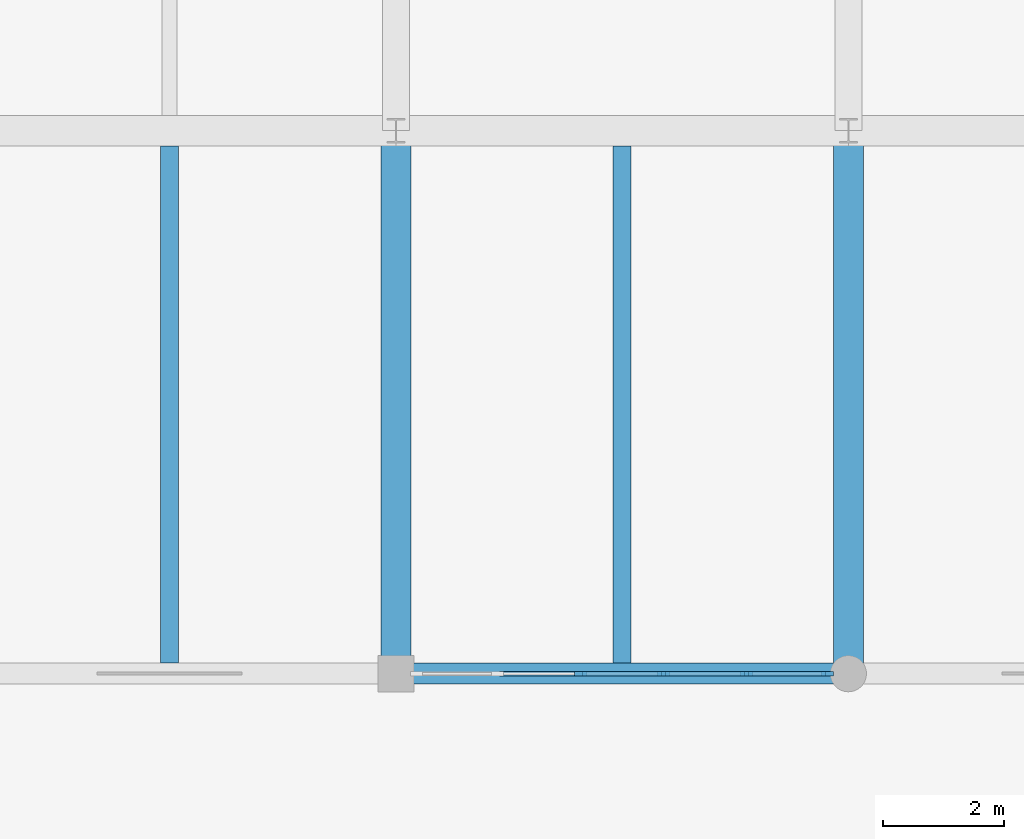
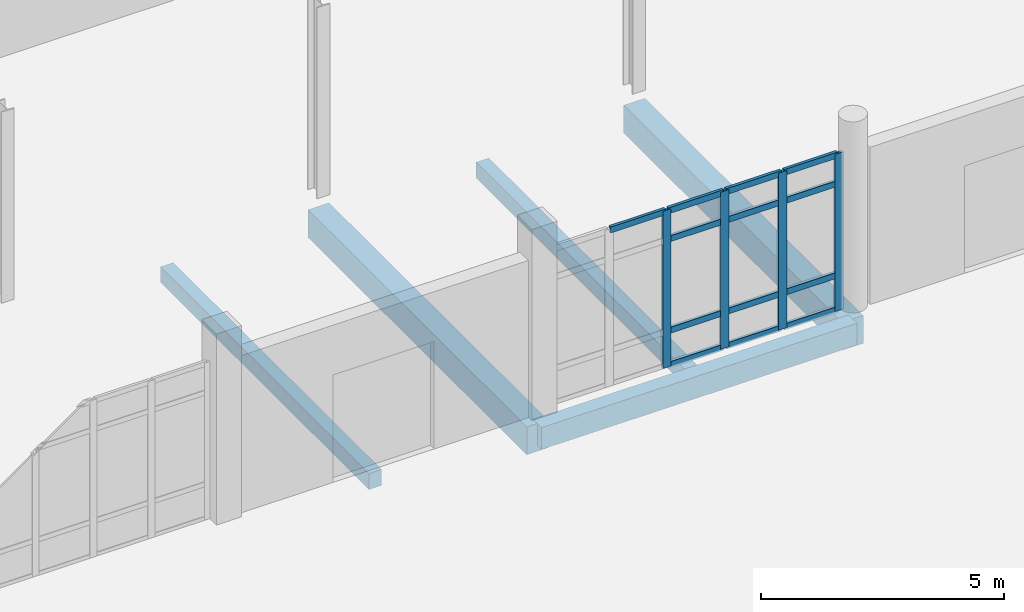
# One storey, part 30 of 125: 17 members, 5 beams, 1 element without a shape of its own.
"""IFC4 building model written with IfcOpenShell, lengths in metres."""

from ifc_helpers import new_model, si_unit, direction, frame, origin, origin_2d, place, context, subcontext, project, spatial, rectangle, extrude, material, layer, layer_set, material_profile, profile_set, type_object, element, aggregate, save


model = new_model("IFC4")

# Units and contexts
model_context = context("Model", 3, precision=1e-05, world=origin(), true_north=direction((0.0, 1.0)))
body_context = subcontext(model_context, "Body", "Model", "MODEL_VIEW")
ifc_project = project(units=[si_unit("LENGTHUNIT", "METRE"), si_unit("AREAUNIT", "SQUARE_METRE"), si_unit("VOLUMEUNIT", "CUBIC_METRE"), si_unit("PLANEANGLEUNIT", "RADIAN"), si_unit("MASSUNIT", "GRAM", prefix="KILO")], contexts=[model_context])

# Site, building, storey
site_placement = place(None, origin())
site = spatial("IfcSite", under=ifc_project, at=site_placement, CompositionType="ELEMENT")
building_placement = place(site_placement, origin())
building = spatial("IfcBuilding", under=site, at=building_placement, Name="Dalvernix Boulevard General Hospital", CompositionType="ELEMENT")
storey_placement = place(building_placement, origin())
storey = spatial("IfcBuildingStorey", under=building, at=storey_placement, Name="L00", CompositionType="ELEMENT", Elevation=0.0)

# Beams
ifc_material_1 = material(Name="Concrete C35/45", Category="concrete")
ifc_material_profile_1 = material_profile(ifc_material_1, rectangle(XDim=0.5, YDim=0.699951171875, at=origin_2d()), Name="RCB 500x700")
ifc_profile_set_1 = profile_set([ifc_material_profile_1], Name="Concrete C35/45")
beam_type_1 = type_object("IfcBeamType", Name="BM-B-01-I", PredefinedType="BEAM", material=ifc_profile_set_1)
for number, where, z_axis, x_axis, name in (
    (1, (82.5, 22.5, -0.7099609375), (0.0, 1.0, 0.0), (-1.0, 0.0, 0.0), "L00 N-S girder 12:D-E"),
    (2, (90.0, 22.5, -0.7099609375), (0.0, 1.0, 0.0), (-1.0, 0.0, 0.0), "L00 N-S girder 13:D-E"),
):
    element("IfcBeam", number, at=place(storey_placement, frame(where, z_axis=z_axis, x_axis=x_axis)), inside=storey, type_object=beam_type_1, Name=name, PredefinedType="BEAM", context=body_context, shape_type="SweptSolid", body=[
        extrude(rectangle(XDim=0.5, YDim=0.699951171875, at=origin_2d()), origin(), (0.0, 0.0, 1.0), 9.0),
    ])
ifc_material_profile_2 = material_profile(ifc_material_1, rectangle(XDim=0.300048828125, YDim=0.39990234375, at=origin_2d()), Name="RCB 300x400")
ifc_profile_set_2 = profile_set([ifc_material_profile_2], Name="Concrete C35/45")
beam_type_2 = type_object("IfcBeamType", Name="BM-JB-01", PredefinedType="JOIST", material=ifc_profile_set_2)
for number, where, z_axis, x_axis, name in (
    (3, (78.75, 22.675048828125, -0.56005859375), (0.0, 1.0, 0.0), (-1.0, 0.0, 0.0), "L00 secondary floor beam 11-D"),
    (4, (86.25, 22.675048828125, -0.56005859375), (0.0, 1.0, 0.0), (-1.0, 0.0, 0.0), "L00 secondary floor beam 12-D"),
):
    element("IfcBeam", number, at=place(storey_placement, frame(where, z_axis=z_axis, x_axis=x_axis)), inside=storey, type_object=beam_type_2, Name=name, PredefinedType="JOIST", context=body_context, shape_type="SweptSolid", body=[
        extrude(rectangle(XDim=0.300048828125, YDim=0.39990234375, at=origin_2d()), origin(), (0.0, 0.0, 1.0), 8.574951171875),
    ])
ifc_material_profile_3 = material_profile(ifc_material_1, rectangle(XDim=0.35009765625, YDim=0.550048828125, at=origin_2d()), Name="RCB 350x550")
ifc_profile_set_3 = profile_set([ifc_material_profile_3], Name="Concrete C35/45")
beam_type_3 = type_object("IfcBeamType", Name="BM-SB-01-E", PredefinedType="SPANDREL", material=ifc_profile_set_3)
beam_placement = place(storey_placement, frame((82.5, 22.5, -0.635009765625), z_axis=(1.0, 0.0, 0.0), x_axis=(0.0, 1.0, 0.0)))
element("IfcBeam", 5, at=beam_placement, inside=storey, type_object=beam_type_3, Name="L00 E-W girder D:12-13", PredefinedType="SPANDREL", context=body_context, shape_type="SweptSolid", body=[
    extrude(rectangle(XDim=0.35009765625, YDim=0.550048828125, at=origin_2d()), origin(), (0.0, 0.0, 1.0), 7.5),
])

# Curtain wall, members
ifc_material_2 = material(Name="Thermally broken aluminium and solar-control glass curtain wall", Category="aluminium")
ifc_layer = layer(ifc_material_2, 0.199951171875)
ifc_layer_set = layer_set([ifc_layer], Name="Thermally broken aluminium and solar-control glass curtain wall (CW-CW-C-69x40)")
curtain_wall_type = type_object("IfcCurtainWallType", Name="CW-CW-C-69x40", PredefinedType="USERDEFINED", material=ifc_layer_set)
curtain_wall_placement = place(storey_placement, origin())
curtain_wall = element("IfcCurtainWall", 6, at=curtain_wall_placement, inside=storey, type_object=curtain_wall_type, Name="L00 curtain wall CW-C-69x40 11-3", ObjectType="GLAZED FACADE", PredefinedType="USERDEFINED")
ifc_material_3 = material(Name="Aluminium EN AW-6060", Category="aluminium")
ifc_material_profile_4 = material_profile(ifc_material_3, rectangle(XDim=0.070068359375, YDim=0.199951171875, at=origin_2d()), Name="ALU MULL 70x200")
ifc_profile_set_4 = profile_set([ifc_material_profile_4], Name="Aluminium EN AW-6060")
member_type_1 = type_object("IfcMemberType", Name="MEM-CW-M3", PredefinedType="MULLION", material=ifc_profile_set_4)
member_1_placement = place(storey_placement, frame((89.655029296875, 22.5, 0.0), z_axis=(0.0, 0.0, 1.0), x_axis=(0.0, -1.0, 0.0)))
member_1 = element("IfcMember", 7, at=member_1_placement, type_object=member_type_1, Name="CW-C-69x40 mullion 1", PredefinedType="MULLION", context=body_context, shape_type="SweptSolid", body=[
    extrude(rectangle(XDim=0.070068359375, YDim=0.199951171875, at=origin_2d()), origin(), (0.0, 0.0, 1.0), 3.949951171875),
])
member_2_placement = place(storey_placement, frame((88.31396484375, 22.5, 0.0), z_axis=(0.0, 0.0, 1.0), x_axis=(0.0, -1.0, 0.0)))
member_2 = element("IfcMember", 8, at=member_2_placement, type_object=member_type_1, Name="CW-C-69x40 mullion 2", PredefinedType="MULLION", context=body_context, shape_type="SweptSolid", body=[
    extrude(rectangle(XDim=0.070068359375, YDim=0.199951171875, at=origin_2d()), origin(), (0.0, 0.0, 1.0), 3.949951171875),
])
member_3_placement = place(storey_placement, frame((86.93798828125, 22.5, 0.0), z_axis=(0.0, 0.0, 1.0), x_axis=(0.0, -1.0, 0.0)))
member_3 = element("IfcMember", 9, at=member_3_placement, type_object=member_type_1, Name="CW-C-69x40 mullion 3", PredefinedType="MULLION", context=body_context, shape_type="SweptSolid", body=[
    extrude(rectangle(XDim=0.070068359375, YDim=0.199951171875, at=origin_2d()), origin(), (0.0, 0.0, 1.0), 3.949951171875),
])
member_4_placement = place(storey_placement, frame((85.56201171875, 22.5, 0.0), z_axis=(0.0, 0.0, 1.0), x_axis=(0.0, -1.0, 0.0)))
member_4 = element("IfcMember", 10, at=member_4_placement, type_object=member_type_1, Name="CW-C-69x40 mullion 4", PredefinedType="MULLION", context=body_context, shape_type="SweptSolid", body=[
    extrude(rectangle(XDim=0.070068359375, YDim=0.199951171875, at=origin_2d()), origin(), (0.0, 0.0, 1.0), 3.949951171875),
])
ifc_material_profile_5 = material_profile(ifc_material_3, rectangle(XDim=0.070068359375, YDim=0.14990234375, at=origin_2d()), Name="ALU TRAN 70x150")
ifc_profile_set_5 = profile_set([ifc_material_profile_5], Name="Aluminium EN AW-6060")
member_type_2 = type_object("IfcMemberType", Name="MEM-CW-T3", PredefinedType="USERDEFINED", material=ifc_profile_set_5)
member_5_placement = place(storey_placement, frame((89.6201171875, 22.5, 0.034912109375), z_axis=(-1.0, 0.0, 0.0), x_axis=(0.0, -1.0, 0.0)))
member_5 = element("IfcMember", 11, at=member_5_placement, type_object=member_type_2, Name="CW-C-69x40 transom 1.1", ObjectType="TRANSOM", PredefinedType="USERDEFINED", context=body_context, shape_type="SweptSolid", body=[
    extrude(rectangle(XDim=0.070068359375, YDim=0.14990234375, at=origin_2d()), origin(), (0.0, 0.0, 1.0), 1.27099609375),
])
member_6_placement = place(storey_placement, frame((89.6201171875, 22.5, 0.89990234375), z_axis=(-1.0, 0.0, 0.0), x_axis=(0.0, -1.0, 0.0)))
member_6 = element("IfcMember", 12, at=member_6_placement, type_object=member_type_2, Name="CW-C-69x40 transom 1.2", ObjectType="TRANSOM", PredefinedType="USERDEFINED", context=body_context, shape_type="SweptSolid", body=[
    extrude(rectangle(XDim=0.070068359375, YDim=0.14990234375, at=origin_2d()), origin(), (0.0, 0.0, 1.0), 1.27099609375),
])
member_7_placement = place(storey_placement, frame((89.6201171875, 22.5, 3.199951171875), z_axis=(-1.0, 0.0, 0.0), x_axis=(0.0, -1.0, 0.0)))
member_7 = element("IfcMember", 13, at=member_7_placement, type_object=member_type_2, Name="CW-C-69x40 transom 1.3", ObjectType="TRANSOM", PredefinedType="USERDEFINED", context=body_context, shape_type="SweptSolid", body=[
    extrude(rectangle(XDim=0.070068359375, YDim=0.14990234375, at=origin_2d()), origin(), (0.0, 0.0, 1.0), 1.27099609375),
])
member_8_placement = place(storey_placement, frame((89.6201171875, 22.5, 3.9150390625), z_axis=(-1.0, 0.0, 0.0), x_axis=(0.0, -1.0, 0.0)))
member_8 = element("IfcMember", 14, at=member_8_placement, type_object=member_type_2, Name="CW-C-69x40 transom 1.4", ObjectType="TRANSOM", PredefinedType="USERDEFINED", context=body_context, shape_type="SweptSolid", body=[
    extrude(rectangle(XDim=0.070068359375, YDim=0.14990234375, at=origin_2d()), origin(), (0.0, 0.0, 1.0), 1.27099609375),
])
member_9_placement = place(storey_placement, frame((88.279052734375, 22.5, 0.034912109375), z_axis=(-1.0, 0.0, 0.0), x_axis=(0.0, -1.0, 0.0)))
member_9 = element("IfcMember", 15, at=member_9_placement, type_object=member_type_2, Name="CW-C-69x40 transom 2.1", ObjectType="TRANSOM", PredefinedType="USERDEFINED", context=body_context, shape_type="SweptSolid", body=[
    extrude(rectangle(XDim=0.070068359375, YDim=0.14990234375, at=origin_2d()), origin(), (0.0, 0.0, 1.0), 1.30615234375),
])
member_10_placement = place(storey_placement, frame((88.279052734375, 22.5, 0.89990234375), z_axis=(-1.0, 0.0, 0.0), x_axis=(0.0, -1.0, 0.0)))
member_10 = element("IfcMember", 16, at=member_10_placement, type_object=member_type_2, Name="CW-C-69x40 transom 2.2", ObjectType="TRANSOM", PredefinedType="USERDEFINED", context=body_context, shape_type="SweptSolid", body=[
    extrude(rectangle(XDim=0.070068359375, YDim=0.14990234375, at=origin_2d()), origin(), (0.0, 0.0, 1.0), 1.30615234375),
])
member_11_placement = place(storey_placement, frame((88.279052734375, 22.5, 3.199951171875), z_axis=(-1.0, 0.0, 0.0), x_axis=(0.0, -1.0, 0.0)))
member_11 = element("IfcMember", 17, at=member_11_placement, type_object=member_type_2, Name="CW-C-69x40 transom 2.3", ObjectType="TRANSOM", PredefinedType="USERDEFINED", context=body_context, shape_type="SweptSolid", body=[
    extrude(rectangle(XDim=0.070068359375, YDim=0.14990234375, at=origin_2d()), origin(), (0.0, 0.0, 1.0), 1.30615234375),
])
member_12_placement = place(storey_placement, frame((88.279052734375, 22.5, 3.9150390625), z_axis=(-1.0, 0.0, 0.0), x_axis=(0.0, -1.0, 0.0)))
member_12 = element("IfcMember", 18, at=member_12_placement, type_object=member_type_2, Name="CW-C-69x40 transom 2.4", ObjectType="TRANSOM", PredefinedType="USERDEFINED", context=body_context, shape_type="SweptSolid", body=[
    extrude(rectangle(XDim=0.070068359375, YDim=0.14990234375, at=origin_2d()), origin(), (0.0, 0.0, 1.0), 1.30615234375),
])
member_13_placement = place(storey_placement, frame((86.903076171875, 22.5, 0.034912109375), z_axis=(-1.0, 0.0, 0.0), x_axis=(0.0, -1.0, 0.0)))
member_13 = element("IfcMember", 19, at=member_13_placement, type_object=member_type_2, Name="CW-C-69x40 transom 3.1", ObjectType="TRANSOM", PredefinedType="USERDEFINED", context=body_context, shape_type="SweptSolid", body=[
    extrude(rectangle(XDim=0.070068359375, YDim=0.14990234375, at=origin_2d()), origin(), (0.0, 0.0, 1.0), 1.30615234375),
])
member_14_placement = place(storey_placement, frame((86.903076171875, 22.5, 0.89990234375), z_axis=(-1.0, 0.0, 0.0), x_axis=(0.0, -1.0, 0.0)))
member_14 = element("IfcMember", 20, at=member_14_placement, type_object=member_type_2, Name="CW-C-69x40 transom 3.2", ObjectType="TRANSOM", PredefinedType="USERDEFINED", context=body_context, shape_type="SweptSolid", body=[
    extrude(rectangle(XDim=0.070068359375, YDim=0.14990234375, at=origin_2d()), origin(), (0.0, 0.0, 1.0), 1.30615234375),
])
member_15_placement = place(storey_placement, frame((86.903076171875, 22.5, 3.199951171875), z_axis=(-1.0, 0.0, 0.0), x_axis=(0.0, -1.0, 0.0)))
member_15 = element("IfcMember", 21, at=member_15_placement, type_object=member_type_2, Name="CW-C-69x40 transom 3.3", ObjectType="TRANSOM", PredefinedType="USERDEFINED", context=body_context, shape_type="SweptSolid", body=[
    extrude(rectangle(XDim=0.070068359375, YDim=0.14990234375, at=origin_2d()), origin(), (0.0, 0.0, 1.0), 1.30615234375),
])
member_16_placement = place(storey_placement, frame((86.903076171875, 22.5, 3.9150390625), z_axis=(-1.0, 0.0, 0.0), x_axis=(0.0, -1.0, 0.0)))
member_16 = element("IfcMember", 22, at=member_16_placement, type_object=member_type_2, Name="CW-C-69x40 transom 3.4", ObjectType="TRANSOM", PredefinedType="USERDEFINED", context=body_context, shape_type="SweptSolid", body=[
    extrude(rectangle(XDim=0.070068359375, YDim=0.14990234375, at=origin_2d()), origin(), (0.0, 0.0, 1.0), 1.30615234375),
])
member_17_placement = place(storey_placement, frame((85.527099609375, 22.5, 3.9150390625), z_axis=(-1.0, 0.0, 0.0), x_axis=(0.0, -1.0, 0.0)))
member_17 = element("IfcMember", 23, at=member_17_placement, type_object=member_type_2, Name="CW-C-69x40 transom 4.4", ObjectType="TRANSOM", PredefinedType="USERDEFINED", context=body_context, shape_type="SweptSolid", body=[
    extrude(rectangle(XDim=0.070068359375, YDim=0.14990234375, at=origin_2d()), origin(), (0.0, 0.0, 1.0), 1.30615234375),
])
aggregate(curtain_wall, [member_1, member_2, member_3, member_4, member_5, member_6, member_7, member_8, member_9, member_10, member_11, member_12, member_13, member_14, member_15, member_16, member_17])

save(model, "model.ifc")
